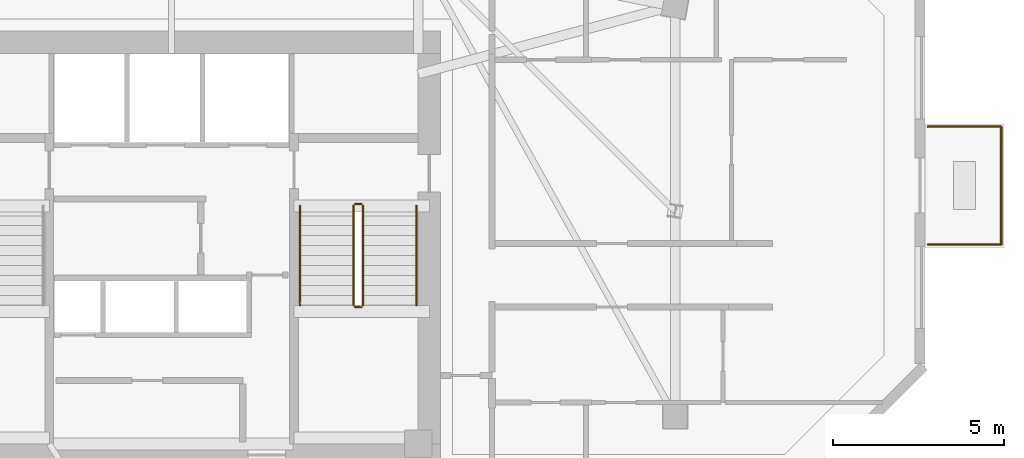
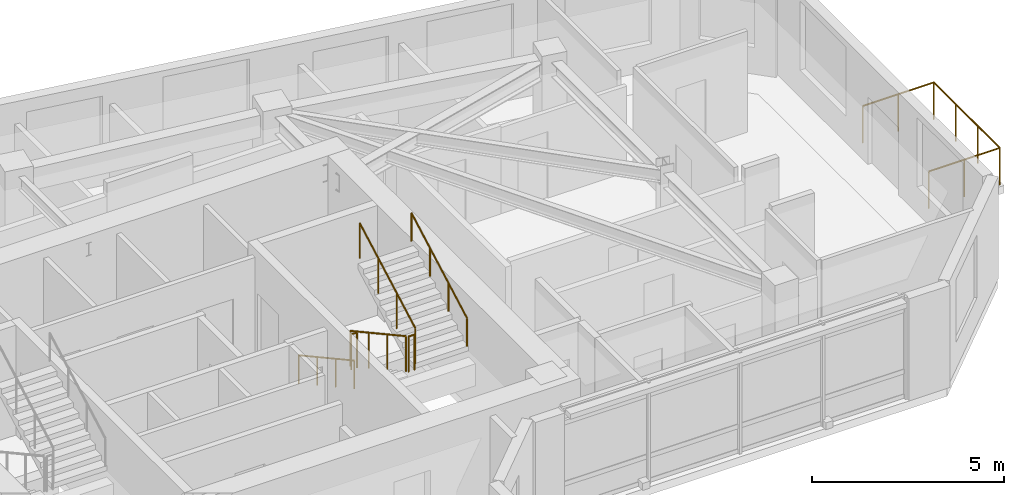
# One storey, part 10 of 10: 9 railings.
"""IFC4 building model written with IfcOpenShell, lengths in metres."""

from ifc_helpers import new_model, si_unit, direction, frame, origin, origin_2d, place, context, subcontext, project, spatial, circle, extrude, material, type_object, element, save


model = new_model("IFC4")

# Units and contexts
model_context = context("Model", 3, precision=1e-05, world=origin(), true_north=direction((0.0, 1.0)))
body_context = subcontext(model_context, "Body", "Model", "MODEL_VIEW")
ifc_project = project(units=[si_unit("LENGTHUNIT", "METRE"), si_unit("AREAUNIT", "SQUARE_METRE"), si_unit("VOLUMEUNIT", "CUBIC_METRE"), si_unit("PLANEANGLEUNIT", "RADIAN"), si_unit("MASSUNIT", "GRAM", prefix="KILO")], contexts=[model_context])

# Site, building, storey
site_placement = place(None, origin())
site = spatial("IfcSite", under=ifc_project, at=site_placement, CompositionType="ELEMENT")
building_placement = place(site_placement, origin())
building = spatial("IfcBuilding", under=site, at=building_placement, Name="Calvemar Wedge Station Tower", CompositionType="ELEMENT")
storey_placement = place(building_placement, frame((0.0, 0.0, 214.89990234375)))
storey = spatial("IfcBuildingStorey", under=building, at=storey_placement, Name="L54", CompositionType="ELEMENT", Elevation=214.89990234375)

# Railings
ifc_material_1 = material(Name="Stainless steel AISI 316L", Category="steel")
railing_type_1 = type_object("IfcRailingType", Name="GRD-TERR-1200", PredefinedType="GUARDRAIL", material=ifc_material_1)
railing_1_placement = place(storey_placement, frame((45.8798828125, 43.4619140625, 0.0)))
element("IfcRailing", 1, at=railing_1_placement, inside=storey, type_object=railing_type_1, Name="Storey L54 Spiral Terrace Guard 2", PredefinedType="GUARDRAIL", context=body_context, shape_type="SweptSolid", body=[
    extrude(circle(Radius=0.02392578125, at=origin_2d()), frame((0.0, 0.0, 1.17578125), z_axis=(1.0, 0.0, 0.0), x_axis=(0.0, 1.0, 0.0)), (0.0, 0.0, 1.0), 2.14013671875),
    extrude(circle(Radius=0.02099609375, at=origin_2d()), origin(), (0.0, 0.0, 1.0), 1.15185546875),
    extrude(circle(Radius=0.02099609375, at=origin_2d()), frame((1.070068359375, 0.0, 0.0)), (0.0, 0.0, 1.0), 1.15185546875),
    extrude(circle(Radius=0.02099609375, at=origin_2d()), frame((2.14013671875, 0.0, 0.0)), (0.0, 0.0, 1.0), 1.15185546875),
])
railing_2_placement = place(storey_placement, frame((48.02001953125, 43.4619140625, 0.0)))
element("IfcRailing", 2, at=railing_2_placement, inside=storey, type_object=railing_type_1, Name="Storey L54 Spiral Terrace Guard 3", PredefinedType="GUARDRAIL", context=body_context, shape_type="SweptSolid", body=[
    extrude(circle(Radius=0.02392578125, at=origin_2d()), frame((0.0, 0.0, 1.17578125), z_axis=(0.0, -1.0, 0.0), x_axis=(1.0, 0.0, 0.0)), (0.0, 0.0, 1.0), 3.43994140625),
    extrude(circle(Radius=0.02099609375, at=origin_2d()), origin(), (0.0, 0.0, 1.0), 1.15185546875),
    extrude(circle(Radius=0.02099609375, at=origin_2d()), frame((0.0, -1.146728515625, 0.0)), (0.0, 0.0, 1.0), 1.15185546875),
    extrude(circle(Radius=0.02099609375, at=origin_2d()), frame((0.0, -2.293212890625, 0.0)), (0.0, 0.0, 1.0), 1.15185546875),
    extrude(circle(Radius=0.02099609375, at=origin_2d()), frame((0.0, -3.43994140625, 0.0)), (0.0, 0.0, 1.0), 1.15185546875),
])
railing_3_placement = place(storey_placement, frame((48.02001953125, 40.02197265625, 0.0)))
element("IfcRailing", 3, at=railing_3_placement, inside=storey, type_object=railing_type_1, Name="Storey L54 Spiral Terrace Guard 4", PredefinedType="GUARDRAIL", context=body_context, shape_type="SweptSolid", body=[
    extrude(circle(Radius=0.02392578125, at=origin_2d()), frame((0.0, 0.0, 1.17578125), z_axis=(-1.0, 0.0, 0.0), x_axis=(0.0, -1.0, 0.0)), (0.0, 0.0, 1.0), 2.14013671875),
    extrude(circle(Radius=0.02099609375, at=origin_2d()), origin(), (0.0, 0.0, 1.0), 1.15185546875),
    extrude(circle(Radius=0.02099609375, at=origin_2d()), frame((-1.070068359375, 0.0, 0.0)), (0.0, 0.0, 1.0), 1.15185546875),
    extrude(circle(Radius=0.02099609375, at=origin_2d()), frame((-2.14013671875, 0.0, 0.0)), (0.0, 0.0, 1.0), 1.15185546875),
])
railing_type_2 = type_object("IfcRailingType", Name="RL-HANDRAIL-920", PredefinedType="HANDRAIL", material=ifc_material_1)
railing_4_placement = place(storey_placement, frame((27.550048828125, 41.14990234375, 0.1591796875)))
element("IfcRailing", 4, at=railing_4_placement, inside=storey, type_object=railing_type_2, Name="L54 ST-C2 stair handrail 1", PredefinedType="HANDRAIL", context=body_context, shape_type="SweptSolid", body=[
    extrude(circle(Radius=0.02392578125, at=origin_2d()), frame((0.0, 0.0, 0.89599609375), z_axis=(0.0, -0.876742130028, 0.480960744171), x_axis=(1.0, 0.0, 0.0)), (0.0, 0.0, 1.0), 3.3076171875),
    extrude(circle(Radius=0.02099609375, at=origin_2d()), origin(), (0.0, 0.0, 1.0), 0.871826171875),
    extrude(circle(Radius=0.02099609375, at=origin_2d()), frame((0.0, -0.966552734375, 0.5302734375)), (0.0, 0.0, 1.0), 0.871826171875),
    extrude(circle(Radius=0.02099609375, at=origin_2d()), frame((0.0, -1.933349609375, 1.060546875)), (0.0, 0.0, 1.0), 0.871826171875),
    extrude(circle(Radius=0.02099609375, at=origin_2d()), frame((0.0, -2.89990234375, 1.5908203125)), (0.0, 0.0, 1.0), 0.871826171875),
])
railing_5_placement = place(storey_placement, frame((30.949951171875, 38.25, 1.9091796875)))
element("IfcRailing", 5, at=railing_5_placement, inside=storey, type_object=railing_type_2, Name="L54 ST-C2 stair handrail 2", PredefinedType="HANDRAIL", context=body_context, shape_type="SweptSolid", body=[
    extrude(circle(Radius=0.02392578125, at=origin_2d()), frame((0.0, 0.0, 0.89599609375), z_axis=(0.0, 0.876742130028, 0.480960744171), x_axis=(-1.0, 0.0, 0.0)), (0.0, 0.0, 1.0), 3.3076171875),
    extrude(circle(Radius=0.02099609375, at=origin_2d()), origin(), (0.0, 0.0, 1.0), 0.871826171875),
    extrude(circle(Radius=0.02099609375, at=origin_2d()), frame((0.0, 0.966552734375, 0.5302734375)), (0.0, 0.0, 1.0), 0.871826171875),
    extrude(circle(Radius=0.02099609375, at=origin_2d()), frame((0.0, 1.933349609375, 1.060546875)), (0.0, 0.0, 1.0), 0.871826171875),
    extrude(circle(Radius=0.02099609375, at=origin_2d()), frame((0.0, 2.89990234375, 1.5908203125)), (0.0, 0.0, 1.0), 0.871826171875),
])
ifc_material_2 = material(Name="Painted steel guardrail ASTM A500 Grade C", Category="steel")
railing_type_3 = type_object("IfcRailingType", Name="RL-STAIR-GUARD-1150", PredefinedType="GUARDRAIL", material=ifc_material_2)
railing_6_placement = place(storey_placement, frame((29.110107421875, 41.14990234375, 0.1591796875)))
element("IfcRailing", 6, at=railing_6_placement, inside=storey, type_object=railing_type_3, Name="L54 ST-C2 stair guard 1", PredefinedType="GUARDRAIL", context=body_context, shape_type="SweptSolid", body=[
    extrude(circle(Radius=0.02392578125, at=origin_2d()), frame((0.0, 0.0, 1.1259765625), z_axis=(0.0, -0.876742130028, 0.480960744171), x_axis=(1.0, 0.0, 0.0)), (0.0, 0.0, 1.0), 3.3076171875),
    extrude(circle(Radius=0.02099609375, at=origin_2d()), origin(), (0.0, 0.0, 1.0), 1.101806640625),
    extrude(circle(Radius=0.02099609375, at=origin_2d()), frame((0.0, -0.966552734375, 0.5302734375)), (0.0, 0.0, 1.0), 1.101806640625),
    extrude(circle(Radius=0.02099609375, at=origin_2d()), frame((0.0, -1.933349609375, 1.060546875)), (0.0, 0.0, 1.0), 1.101806640625),
    extrude(circle(Radius=0.02099609375, at=origin_2d()), frame((0.0, -2.89990234375, 1.5908203125)), (0.0, 0.0, 1.0), 1.101806640625),
])
railing_7_placement = place(storey_placement, frame((29.159912109375, 38.199951171875, 1.75)))
element("IfcRailing", 7, at=railing_7_placement, inside=storey, type_object=railing_type_3, Name="L54 ST-C2 stair guard 2", PredefinedType="GUARDRAIL", context=body_context, shape_type="SweptSolid", body=[
    extrude(circle(Radius=0.02392578125, at=origin_2d()), frame((0.0, 0.0, 1.1259765625), z_axis=(1.0, 0.0, 0.0), x_axis=(0.0, 1.0, 0.0)), (0.0, 0.0, 1.0), 0.18017578125),
    extrude(circle(Radius=0.02099609375, at=origin_2d()), origin(), (0.0, 0.0, 1.0), 1.101806640625),
    extrude(circle(Radius=0.02099609375, at=origin_2d()), frame((0.18017578125, 0.0, 0.0)), (0.0, 0.0, 1.0), 1.101806640625),
])
railing_8_placement = place(storey_placement, frame((29.389892578125, 38.25, 1.9091796875)))
element("IfcRailing", 8, at=railing_8_placement, inside=storey, type_object=railing_type_3, Name="L54 ST-C2 stair guard 3", PredefinedType="GUARDRAIL", context=body_context, shape_type="SweptSolid", body=[
    extrude(circle(Radius=0.02392578125, at=origin_2d()), frame((0.0, 0.0, 1.1259765625), z_axis=(0.0, 0.876742130028, 0.480960744171), x_axis=(-1.0, 0.0, 0.0)), (0.0, 0.0, 1.0), 3.3076171875),
    extrude(circle(Radius=0.02099609375, at=origin_2d()), origin(), (0.0, 0.0, 1.0), 1.101806640625),
    extrude(circle(Radius=0.02099609375, at=origin_2d()), frame((0.0, 0.966552734375, 0.5302734375)), (0.0, 0.0, 1.0), 1.101806640625),
    extrude(circle(Radius=0.02099609375, at=origin_2d()), frame((0.0, 1.933349609375, 1.060546875)), (0.0, 0.0, 1.0), 1.101806640625),
    extrude(circle(Radius=0.02099609375, at=origin_2d()), frame((0.0, 2.89990234375, 1.5908203125)), (0.0, 0.0, 1.0), 1.101806640625),
])
railing_9_placement = place(storey_placement, frame((29.159912109375, 41.199951171875, 0.0)))
element("IfcRailing", 9, at=railing_9_placement, inside=storey, type_object=railing_type_3, Name="L54 ST-C2 stair guard 4", PredefinedType="GUARDRAIL", context=body_context, shape_type="SweptSolid", body=[
    extrude(circle(Radius=0.02392578125, at=origin_2d()), frame((0.0, 0.0, 1.1259765625), z_axis=(1.0, 0.0, 0.0), x_axis=(0.0, 1.0, 0.0)), (0.0, 0.0, 1.0), 0.18017578125),
    extrude(circle(Radius=0.02099609375, at=origin_2d()), origin(), (0.0, 0.0, 1.0), 1.101806640625),
    extrude(circle(Radius=0.02099609375, at=origin_2d()), frame((0.18017578125, 0.0, 0.0)), (0.0, 0.0, 1.0), 1.101806640625),
])

save(model, "model.ifc")
